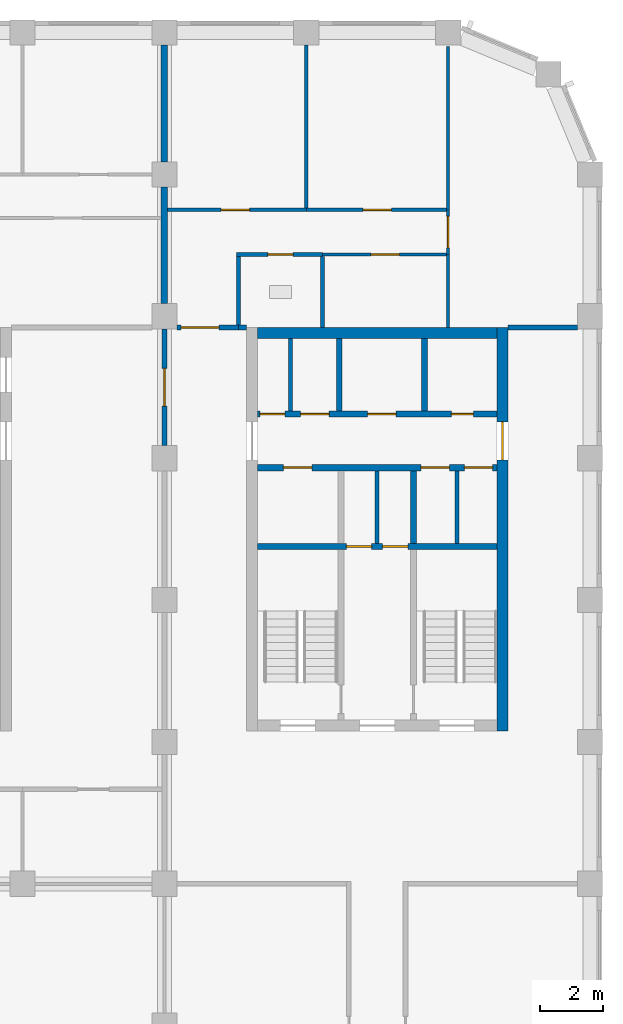
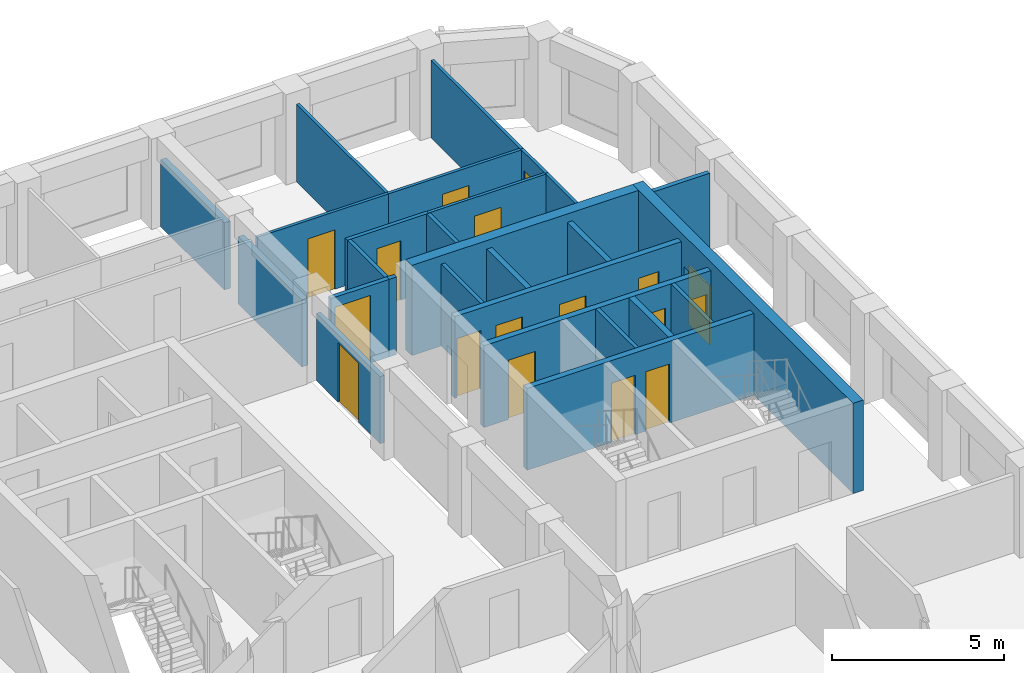
# One storey, part 6 of 9: 27 walls, 17 doors, 17 openings.
"""IFC4 building model written with IfcOpenShell, lengths in metres."""

from ifc_helpers import new_model, si_unit, direction, frame, frame_2d, origin, place, context, subcontext, project, spatial, rectangle, extrude, material, layer, layer_set, type_object, element, fill, save


model = new_model("IFC4")

# Units and contexts
model_context = context("Model", 3, precision=1e-05, world=origin(), true_north=direction((0.0, 1.0)))
body_context = subcontext(model_context, "Body", "Model", "MODEL_VIEW")
ifc_project = project(units=[si_unit("LENGTHUNIT", "METRE"), si_unit("AREAUNIT", "SQUARE_METRE"), si_unit("VOLUMEUNIT", "CUBIC_METRE"), si_unit("PLANEANGLEUNIT", "RADIAN"), si_unit("MASSUNIT", "GRAM", prefix="KILO")], contexts=[model_context])

# Site, building, storey
site_placement = place(None, origin())
site = spatial("IfcSite", under=ifc_project, at=site_placement, CompositionType="ELEMENT")
building_placement = place(site_placement, origin())
building = spatial("IfcBuilding", under=site, at=building_placement, Name="Girih Gate Residences", CompositionType="ELEMENT")
storey_placement = place(building_placement, frame((0.0, 0.0, 182.699951171875)))
storey = spatial("IfcBuildingStorey", under=building, at=storey_placement, Name="L50", CompositionType="ELEMENT", Elevation=182.699951171875)

# Wall
ifc_material_1 = material(Name="Gypsum board on steel studs", Category="steel")
ifc_layer_1 = layer(ifc_material_1, 0.14990234375)
ifc_layer_set_1 = layer_set([ifc_layer_1], Name="Compartment wall 150 mm")
wall_type_1 = type_object("IfcWallType", Name="Compartment wall 150 mm", PredefinedType="PARTITIONING", material=ifc_layer_set_1)
wall_1_placement = place(storey_placement, frame((20.35009765625, 40.14990234375, 0.0), z_axis=(0.0, 0.0, 1.0), x_axis=(1.0, 0.0, 0.0)))
element("IfcWall", 1, at=wall_1_placement, inside=storey, type_object=wall_type_1, Name="L50 partition", PredefinedType="PARTITIONING", context=body_context, shape_type="SweptSolid", body=[
    extrude(rectangle(XDim=0.25, YDim=0.14990234375, at=frame_2d((0.125, 0.0))), origin(), (0.0, 0.0, 1.0), 2.75),
])

# Wall, opening, door
wall_2_placement = place(storey_placement, frame((18.39990234375, 40.14990234375, 0.0), z_axis=(0.0, 0.0, 1.0), x_axis=(1.0, 0.0, 0.0)))
wall_2 = element("IfcWall", 2, at=wall_2_placement, inside=storey, type_object=wall_type_1, Name="L50 partition", PredefinedType="PARTITIONING", context=body_context, shape_type="SweptSolid", body=[
    extrude(rectangle(XDim=1.9501953125, YDim=0.14990234375, at=frame_2d((0.97509765625, 0.0))), origin(), (0.0, 0.0, 1.0), 2.75),
])
opening_1_placement = place(wall_2_placement, frame((0.1298828125, 0.0, 0.0)))
opening_1 = element("IfcOpeningElement", 3, at=opening_1_placement, cuts=wall_2, Name="Opening A50-020", PredefinedType="OPENING", context=body_context, shape_type="SweptSolid", body=[
    extrude(rectangle(XDim=1.199951171875, YDim=2.39990234375, at=frame_2d((0.60009765625, 1.199951171875))), frame((0.0, 0.0849609375, 0.0), z_axis=(0.0, -1.0, 0.0), x_axis=(1.0, 0.0, 0.0)), (0.0, 0.0, 1.0), 0.169921875),
])
ifc_material_2 = material(Name="Timber, fire-rated core", Category="wood")
door_type_1 = type_object("IfcDoorType", Name="Villa entrance door 1200x2400 FD30S", OperationType="NOTDEFINED", PredefinedType="DOOR", material=ifc_material_2)
door_1_placement = place(opening_1_placement, origin())
door_1 = element("IfcDoor", 4, at=door_1_placement, inside=storey, type_object=door_type_1, Name="Door A50-020", OperationType="SINGLE_SWING_LEFT", OverallHeight=2.39990234375, OverallWidth=1.199951171875, PredefinedType="DOOR", context=body_context, shape_type="SweptSolid", body=[
    extrude(rectangle(XDim=1.199951171875, YDim=2.39990234375, at=frame_2d((0.60009765625, 1.199951171875))), frame((0.0, 0.02490234375, 0.0), z_axis=(0.0, -1.0, 0.0), x_axis=(1.0, 0.0, 0.0)), (0.0, 0.0, 1.0), 0.050048828125),
])
fill(opening_1, door_1)

# Wall
wall_3_placement = place(storey_placement, frame((28.89990234375, 40.14990234375, 0.0), z_axis=(0.0, 0.0, 1.0), x_axis=(1.0, 0.0, 0.0)))
element("IfcWall", 5, at=wall_3_placement, inside=storey, type_object=wall_type_1, Name="L50 partition", PredefinedType="PARTITIONING", context=body_context, shape_type="SweptSolid", body=[
    extrude(rectangle(XDim=2.2001953125, YDim=0.14990234375, at=frame_2d((1.10009765625, 0.0))), origin(), (0.0, 0.0, 1.0), 2.75),
])

# Wall, opening, door
wall_4_placement = place(storey_placement, frame((18.0, 40.10009765625, 0.0), z_axis=(0.0, 0.0, 1.0), x_axis=(0.0, -1.0, 0.0)))
wall_4 = element("IfcWall", 6, at=wall_4_placement, inside=storey, type_object=wall_type_1, Name="L50 partition", PredefinedType="PARTITIONING", context=body_context, shape_type="SweptSolid", body=[
    extrude(rectangle(XDim=3.7001953125, YDim=0.14990234375, at=frame_2d((1.85009765625, 0.0))), origin(), (0.0, 0.0, 1.0), 2.380126953125),
])
opening_2_placement = place(wall_4_placement, frame((1.25, 0.0, 0.0)))
opening_2 = element("IfcOpeningElement", 7, at=opening_2_placement, cuts=wall_4, Name="Opening A50-022", PredefinedType="OPENING", context=body_context, shape_type="SweptSolid", body=[
    extrude(rectangle(XDim=1.199951171875, YDim=2.10009765625, at=frame_2d((0.60009765625, 1.050048828125))), frame((0.0, 0.0849609375, 0.0), z_axis=(0.0, -1.0, 0.0), x_axis=(1.0, 0.0, 0.0)), (0.0, 0.0, 1.0), 0.169921875),
])
door_type_2 = type_object("IfcDoorType", Name="Corridor fire door 1200x2100 FD30S", OperationType="NOTDEFINED", PredefinedType="DOOR", material=ifc_material_2)
door_2_placement = place(opening_2_placement, origin())
door_2 = element("IfcDoor", 8, at=door_2_placement, inside=storey, type_object=door_type_2, Name="Door A50-022", OperationType="SINGLE_SWING_LEFT", OverallHeight=2.10009765625, OverallWidth=1.199951171875, PredefinedType="DOOR", context=body_context, shape_type="SweptSolid", body=[
    extrude(rectangle(XDim=1.199951171875, YDim=2.10009765625, at=frame_2d((0.60009765625, 1.050048828125))), frame((0.0, 0.02490234375, 0.0), z_axis=(0.0, -1.0, 0.0), x_axis=(1.0, 0.0, 0.0)), (0.0, 0.0, 1.0), 0.050048828125),
])
fill(opening_2, door_2)

# Wall
ifc_layer_2 = layer(ifc_material_1, 0.10009765625)
ifc_layer_set_2 = layer_set([ifc_layer_2], Name="Partition 100 mm")
wall_type_2 = type_object("IfcWallType", Name="Partition 100 mm", PredefinedType="PARTITIONING", material=ifc_layer_set_2)
wall_5_placement = place(storey_placement, frame((22.5, 43.929931640625, 0.0), z_axis=(0.0, 0.0, 1.0), x_axis=(0.0, 1.0, 0.0)))
element("IfcWall", 9, at=wall_5_placement, inside=storey, type_object=wall_type_2, Name="L50 partition", PredefinedType="PARTITIONING", context=body_context, shape_type="SweptSolid", body=[
    extrude(rectangle(XDim=5.170166015625, YDim=0.10009765625, at=frame_2d((2.5849609375, 0.0))), origin(), (0.0, 0.0, 1.0), 2.75),
])

# Wall, opening, door
wall_6_placement = place(storey_placement, frame((18.10009765625, 43.8798828125, 0.0), z_axis=(0.0, 0.0, 1.0), x_axis=(1.0, 0.0, 0.0)))
wall_6 = element("IfcWall", 10, at=wall_6_placement, inside=storey, type_object=wall_type_2, Name="L50 partition", PredefinedType="PARTITIONING", context=body_context, shape_type="SweptSolid", body=[
    extrude(rectangle(XDim=4.39990234375, YDim=0.10009765625, at=frame_2d((2.199951171875, 0.0))), origin(), (0.0, 0.0, 1.0), 2.75),
])
opening_3_placement = place(wall_6_placement, frame((1.699951171875, 0.0, 0.0)))
opening_3 = element("IfcOpeningElement", 11, at=opening_3_placement, cuts=wall_6, Name="Opening A50-016", PredefinedType="OPENING", context=body_context, shape_type="SweptSolid", body=[
    extrude(rectangle(XDim=0.89990234375, YDim=2.10009765625, at=frame_2d((0.449951171875, 1.050048828125))), frame((0.0, 0.06005859375, 0.0), z_axis=(0.0, -1.0, 0.0), x_axis=(1.0, 0.0, 0.0)), (0.0, 0.0, 1.0), 0.1201171875),
])
ifc_material_3 = material(Name="Timber", Category="wood")
door_type_3 = type_object("IfcDoorType", Name="Bedroom door 900x2100", OperationType="NOTDEFINED", PredefinedType="DOOR", material=ifc_material_3)
door_3_placement = place(opening_3_placement, origin())
door_3 = element("IfcDoor", 12, at=door_3_placement, inside=storey, type_object=door_type_3, Name="Door A50-016", OperationType="SINGLE_SWING_LEFT", OverallHeight=2.10009765625, OverallWidth=0.89990234375, PredefinedType="DOOR", context=body_context, shape_type="SweptSolid", body=[
    extrude(rectangle(XDim=0.89990234375, YDim=2.10009765625, at=frame_2d((0.449951171875, 1.050048828125))), frame((0.0, 0.02490234375, 0.0), z_axis=(0.0, -1.0, 0.0), x_axis=(1.0, 0.0, 0.0)), (0.0, 0.0, 1.0), 0.050048828125),
])
fill(opening_3, door_3)

wall_7_placement = place(storey_placement, frame((22.5, 43.8798828125, 0.0), z_axis=(0.0, 0.0, 1.0), x_axis=(1.0, 0.0, 0.0)))
wall_7 = element("IfcWall", 13, at=wall_7_placement, inside=storey, type_object=wall_type_2, Name="L50 partition", PredefinedType="PARTITIONING", context=body_context, shape_type="SweptSolid", body=[
    extrude(rectangle(XDim=4.449951171875, YDim=0.10009765625, at=frame_2d((2.22509765625, 0.0))), origin(), (0.0, 0.0, 1.0), 2.75),
])
opening_4_placement = place(wall_7_placement, frame((1.800048828125, 0.0, 0.0)))
opening_4 = element("IfcOpeningElement", 14, at=opening_4_placement, cuts=wall_7, Name="Opening A50-017", PredefinedType="OPENING", context=body_context, shape_type="SweptSolid", body=[
    extrude(rectangle(XDim=0.89990234375, YDim=2.10009765625, at=frame_2d((0.449951171875, 1.050048828125))), frame((0.0, 0.06005859375, 0.0), z_axis=(0.0, -1.0, 0.0), x_axis=(1.0, 0.0, 0.0)), (0.0, 0.0, 1.0), 0.1201171875),
])
door_4_placement = place(opening_4_placement, origin())
door_4 = element("IfcDoor", 15, at=door_4_placement, inside=storey, type_object=door_type_3, Name="Door A50-017", OperationType="SINGLE_SWING_RIGHT", OverallHeight=2.10009765625, OverallWidth=0.89990234375, PredefinedType="DOOR", context=body_context, shape_type="SweptSolid", body=[
    extrude(rectangle(XDim=0.89990234375, YDim=2.10009765625, at=frame_2d((0.449951171875, 1.050048828125))), frame((0.0, 0.02490234375, 0.0), z_axis=(0.0, -1.0, 0.0), x_axis=(1.0, 0.0, 0.0)), (0.0, 0.0, 1.0), 0.050048828125),
])
fill(opening_4, door_4)

# Wall
wall_8_placement = place(storey_placement, frame((27.0, 43.8798828125, 0.0), z_axis=(0.0, 0.0, 1.0), x_axis=(0.0, 1.0, 0.0)))
element("IfcWall", 16, at=wall_8_placement, inside=storey, type_object=wall_type_2, Name="L50 partition", PredefinedType="PARTITIONING", context=body_context, shape_type="SweptSolid", body=[
    extrude(rectangle(XDim=5.187255859375, YDim=0.10009765625, at=frame_2d((2.59375, 0.0))), origin(), (0.0, 0.0, 1.0), 2.75),
])

# Wall, opening, door
wall_9_placement = place(storey_placement, frame((26.949951171875, 42.4599609375, 0.0), z_axis=(0.0, 0.0, 1.0), x_axis=(-1.0, 0.0, 0.0)))
wall_9 = element("IfcWall", 17, at=wall_9_placement, inside=storey, type_object=wall_type_2, Name="L50 partition", PredefinedType="PARTITIONING", context=body_context, shape_type="SweptSolid", body=[
    extrude(rectangle(XDim=3.939208984375, YDim=0.10009765625, at=frame_2d((1.9697265625, 0.0))), origin(), (0.0, 0.0, 1.0), 2.75),
])
opening_5_placement = place(wall_9_placement, frame((1.49462890625, 0.0, 0.0)))
opening_5 = element("IfcOpeningElement", 18, at=opening_5_placement, cuts=wall_9, Name="Opening A50-018", PredefinedType="OPENING", context=body_context, shape_type="SweptSolid", body=[
    extrude(rectangle(XDim=0.89990234375, YDim=2.10009765625, at=frame_2d((0.449951171875, 1.050048828125))), frame((0.0, 0.06005859375, 0.0), z_axis=(0.0, -1.0, 0.0), x_axis=(1.0, 0.0, 0.0)), (0.0, 0.0, 1.0), 0.1201171875),
])
door_type_4 = type_object("IfcDoorType", Name="Kitchen door 900x2100", OperationType="NOTDEFINED", PredefinedType="DOOR", material=ifc_material_3)
door_5_placement = place(opening_5_placement, origin())
door_5 = element("IfcDoor", 19, at=door_5_placement, inside=storey, type_object=door_type_4, Name="Door A50-018", OperationType="SINGLE_SWING_LEFT", OverallHeight=2.10009765625, OverallWidth=0.89990234375, PredefinedType="DOOR", context=body_context, shape_type="SweptSolid", body=[
    extrude(rectangle(XDim=0.89990234375, YDim=2.10009765625, at=frame_2d((0.449951171875, 1.050048828125))), frame((0.0, 0.02490234375, 0.0), z_axis=(0.0, -1.0, 0.0), x_axis=(1.0, 0.0, 0.0)), (0.0, 0.0, 1.0), 0.050048828125),
])
fill(opening_5, door_5)

wall_10_placement = place(storey_placement, frame((27.0, 43.8798828125, 0.0), z_axis=(0.0, 0.0, 1.0), x_axis=(0.0, -1.0, 0.0)))
wall_10 = element("IfcWall", 20, at=wall_10_placement, inside=storey, type_object=wall_type_2, Name="L50 partition", PredefinedType="PARTITIONING", context=body_context, shape_type="SweptSolid", body=[
    extrude(rectangle(XDim=1.419921875, YDim=0.10009765625, at=frame_2d((0.7099609375, 0.0))), origin(), (0.0, 0.0, 1.0), 2.75),
])
opening_6_placement = place(wall_10_placement, frame((0.2099609375, 0.0, 0.0)))
opening_6 = element("IfcOpeningElement", 21, at=opening_6_placement, cuts=wall_10, Name="Opening A50-019", PredefinedType="OPENING", context=body_context, shape_type="SweptSolid", body=[
    extrude(rectangle(XDim=1.0, YDim=2.10009765625, at=frame_2d((0.5, 1.050048828125))), frame((0.0, 0.06005859375, 0.0), z_axis=(0.0, -1.0, 0.0), x_axis=(1.0, 0.0, 0.0)), (0.0, 0.0, 1.0), 0.1201171875),
])
door_type_5 = type_object("IfcDoorType", Name="Living room door 1000x2100", OperationType="NOTDEFINED", PredefinedType="DOOR", material=ifc_material_3)
door_6_placement = place(opening_6_placement, origin())
door_6 = element("IfcDoor", 22, at=door_6_placement, inside=storey, type_object=door_type_5, Name="Door A50-019", OperationType="SINGLE_SWING_RIGHT", OverallHeight=2.10009765625, OverallWidth=1.0, PredefinedType="DOOR", context=body_context, shape_type="SweptSolid", body=[
    extrude(rectangle(XDim=1.0, YDim=2.10009765625, at=frame_2d((0.5, 1.050048828125))), frame((0.0, 0.02490234375, 0.0), z_axis=(0.0, -1.0, 0.0), x_axis=(1.0, 0.0, 0.0)), (0.0, 0.0, 1.0), 0.050048828125),
])
fill(opening_6, door_6)

# Walls
wall_11_placement = place(storey_placement, frame((27.0, 40.14990234375, 0.0), z_axis=(0.0, 0.0, 1.0), x_axis=(0.0, 1.0, 0.0)))
element("IfcWall", 23, at=wall_11_placement, inside=storey, type_object=wall_type_2, Name="L50 partition", PredefinedType="PARTITIONING", context=body_context, shape_type="SweptSolid", body=[
    extrude(rectangle(XDim=2.31005859375, YDim=0.10009765625, at=frame_2d((1.155029296875, 0.0))), origin(), (0.0, 0.0, 1.0), 2.75),
])
ifc_layer_3 = layer(ifc_material_1, 0.199951171875)
ifc_layer_set_3 = layer_set([ifc_layer_3], Name="Party wall 200 mm")
wall_type_3 = type_object("IfcWallType", Name="Party wall 200 mm", PredefinedType="PARTITIONING", material=ifc_layer_set_3)
for number, where, z_axis, x_axis, name in (
    (24, (18.0, 45.39990234375, 0.0), (0.0, 0.0, 1.0), (0.0, 1.0, 0.0), "L50 partition"),
    (25, (18.0, 40.89990234375, 0.0), (0.0, 0.0, 1.0), (0.0, 1.0, 0.0), "L50 partition"),
):
    element("IfcWall", number, at=place(storey_placement, frame(where, z_axis=z_axis, x_axis=x_axis)), inside=storey, type_object=wall_type_3, Name=name, PredefinedType="PARTITIONING", context=body_context, shape_type="SweptSolid", body=[
        extrude(rectangle(XDim=3.7001953125, YDim=0.199951171875, at=frame_2d((1.85009765625, 0.0))), origin(), (0.0, 0.0, 1.0), 2.380126953125),
    ])
ifc_material_4 = material(Name="Concrete C40/50", Category="concrete")
ifc_layer_4 = layer(ifc_material_4, 0.175048828125)
ifc_layer_set_4 = layer_set([ifc_layer_4], Name="Riser shaft wall 175")
wall_type_4 = type_object("IfcWallType", Name="Riser shaft wall 175", PredefinedType="SOLIDWALL", material=ifc_layer_set_4)
for number, where, z_axis, x_axis, name in (
    (26, (23.550048828125, 37.5, 0.0), (0.0, 0.0, 1.0), (0.0, 1.0, 0.0), "L50 C core wall V1c"),
    (27, (26.25, 37.5, 0.0), (0.0, 0.0, 1.0), (0.0, 1.0, 0.0), "L50 C core wall V2c"),
):
    element("IfcWall", number, at=place(storey_placement, frame(where, z_axis=z_axis, x_axis=x_axis)), inside=storey, type_object=wall_type_4, Name=name, PredefinedType="SOLIDWALL", context=body_context, shape_type="SweptSolid", body=[
        extrude(rectangle(XDim=2.300048828125, YDim=0.175048828125, at=frame_2d((1.14990234375, 0.0))), origin(), (0.0, 0.0, 1.0), 2.900146484375),
    ])

# Wall, openings, doors
ifc_layer_5 = layer(ifc_material_4, 0.199951171875)
ifc_layer_set_5 = layer_set([ifc_layer_5], Name="Shaft wall 200")
wall_type_5 = type_object("IfcWallType", Name="Shaft wall 200", PredefinedType="SOLIDWALL", material=ifc_layer_set_5)
wall_12_placement = place(storey_placement, frame((20.949951171875, 33.199951171875, 0.0), z_axis=(0.0, 0.0, 1.0), x_axis=(1.0, 0.0, 0.0)))
wall_12 = element("IfcWall", 28, at=wall_12_placement, inside=storey, type_object=wall_type_5, Name="L50 C core wall H1", PredefinedType="SOLIDWALL", context=body_context, shape_type="SweptSolid", body=[
    extrude(rectangle(XDim=7.60009765625, YDim=0.199951171875, at=frame_2d((3.800048828125, 0.0))), origin(), (0.0, 0.0, 1.0), 2.900146484375),
])
opening_7_placement = place(wall_12_placement, frame((2.824951171875, 0.0, 0.0)))
opening_7 = element("IfcOpeningElement", 29, at=opening_7_placement, cuts=wall_12, Name="Opening D-L50-C-010", PredefinedType="OPENING", context=body_context, shape_type="SweptSolid", body=[
    extrude(rectangle(XDim=0.800048828125, YDim=2.10009765625, at=frame_2d((0.39990234375, 1.050048828125))), frame((0.0, 0.10986328125, 0.0), z_axis=(0.0, -1.0, 0.0), x_axis=(1.0, 0.0, 0.0)), (0.0, 0.0, 1.0), 0.219970703125),
])
opening_8_placement = place(wall_12_placement, frame((3.97509765625, 0.0, 0.0)))
opening_8 = element("IfcOpeningElement", 30, at=opening_8_placement, cuts=wall_12, Name="Opening D-L50-C-011", PredefinedType="OPENING", context=body_context, shape_type="SweptSolid", body=[
    extrude(rectangle(XDim=0.800048828125, YDim=2.10009765625, at=frame_2d((0.39990234375, 1.050048828125))), frame((0.0, 0.10986328125, 0.0), z_axis=(0.0, -1.0, 0.0), x_axis=(1.0, 0.0, 0.0)), (0.0, 0.0, 1.0), 0.219970703125),
])
ifc_material_5 = material(Name="Painted steel, fire-resisting", Category="steel")
door_type_6 = type_object("IfcDoorType", Name="Fire door 800x2100", OperationType="SINGLE_SWING_LEFT", PredefinedType="DOOR", material=ifc_material_5)
door_7_placement = place(opening_7_placement, origin())
door_7 = element("IfcDoor", 31, at=door_7_placement, inside=storey, type_object=door_type_6, Name="L50 C housekeeping store door", OperationType="SINGLE_SWING_LEFT", OverallHeight=2.10009765625, OverallWidth=0.800048828125, PredefinedType="DOOR", context=body_context, shape_type="SweptSolid", body=[
    extrude(rectangle(XDim=0.800048828125, YDim=2.10009765625, at=frame_2d((0.39990234375, 1.050048828125))), frame((0.0, 0.02490234375, 0.0), z_axis=(0.0, -1.0, 0.0), x_axis=(1.0, 0.0, 0.0)), (0.0, 0.0, 1.0), 0.050048828125),
])
fill(opening_7, door_7)
door_8_placement = place(opening_8_placement, origin())
door_8 = element("IfcDoor", 32, at=door_8_placement, inside=storey, type_object=door_type_6, Name="L50 C refuse store door", OperationType="SINGLE_SWING_LEFT", OverallHeight=2.10009765625, OverallWidth=0.800048828125, PredefinedType="DOOR", context=body_context, shape_type="SweptSolid", body=[
    extrude(rectangle(XDim=0.800048828125, YDim=2.10009765625, at=frame_2d((0.39990234375, 1.050048828125))), frame((0.0, 0.02490234375, 0.0), z_axis=(0.0, -1.0, 0.0), x_axis=(1.0, 0.0, 0.0)), (0.0, 0.0, 1.0), 0.050048828125),
])
fill(opening_8, door_8)

wall_13_placement = place(storey_placement, frame((20.949951171875, 35.699951171875, 0.0), z_axis=(0.0, 0.0, 1.0), x_axis=(1.0, 0.0, 0.0)))
wall_13 = element("IfcWall", 33, at=wall_13_placement, inside=storey, type_object=wall_type_5, Name="L50 C core wall H2", PredefinedType="SOLIDWALL", context=body_context, shape_type="SweptSolid", body=[
    extrude(rectangle(XDim=7.60009765625, YDim=0.199951171875, at=frame_2d((3.800048828125, 0.0))), origin(), (0.0, 0.0, 1.0), 2.900146484375),
])
opening_9_placement = place(wall_13_placement, frame((0.824951171875, 0.0, 0.0)))
opening_9 = element("IfcOpeningElement", 34, at=opening_9_placement, cuts=wall_13, Name="Opening D-L50-C-004", PredefinedType="OPENING", context=body_context, shape_type="SweptSolid", body=[
    extrude(rectangle(XDim=0.89990234375, YDim=2.10009765625, at=frame_2d((0.449951171875, 1.050048828125))), frame((0.0, 0.10986328125, 0.0), z_axis=(0.0, -1.0, 0.0), x_axis=(1.0, 0.0, 0.0)), (0.0, 0.0, 1.0), 0.219970703125),
])
opening_10_placement = place(wall_13_placement, frame((5.1875, 0.0, 0.0)))
opening_10 = element("IfcOpeningElement", 35, at=opening_10_placement, cuts=wall_13, Name="Opening D-L50-C-005", PredefinedType="OPENING", context=body_context, shape_type="SweptSolid", body=[
    extrude(rectangle(XDim=0.89990234375, YDim=2.10009765625, at=frame_2d((0.449951171875, 1.050048828125))), frame((0.0, 0.10986328125, 0.0), z_axis=(0.0, -1.0, 0.0), x_axis=(1.0, 0.0, 0.0)), (0.0, 0.0, 1.0), 0.219970703125),
])
opening_11_placement = place(wall_13_placement, frame((6.5625, 0.0, 0.0)))
opening_11 = element("IfcOpeningElement", 36, at=opening_11_placement, cuts=wall_13, Name="Opening D-L50-C-006", PredefinedType="OPENING", context=body_context, shape_type="SweptSolid", body=[
    extrude(rectangle(XDim=0.89990234375, YDim=2.10009765625, at=frame_2d((0.449951171875, 1.050048828125))), frame((0.0, 0.10986328125, 0.0), z_axis=(0.0, -1.0, 0.0), x_axis=(1.0, 0.0, 0.0)), (0.0, 0.0, 1.0), 0.219970703125),
])
door_type_7 = type_object("IfcDoorType", Name="Fire door 900x2100", OperationType="SINGLE_SWING_LEFT", PredefinedType="DOOR", material=ifc_material_5)
door_9_placement = place(opening_9_placement, origin())
door_9 = element("IfcDoor", 37, at=door_9_placement, inside=storey, type_object=door_type_7, Name="L50 C store door", OperationType="SINGLE_SWING_LEFT", OverallHeight=2.10009765625, OverallWidth=0.89990234375, PredefinedType="DOOR", context=body_context, shape_type="SweptSolid", body=[
    extrude(rectangle(XDim=0.89990234375, YDim=2.10009765625, at=frame_2d((0.449951171875, 1.050048828125))), frame((0.0, 0.02490234375, 0.0), z_axis=(0.0, -1.0, 0.0), x_axis=(1.0, 0.0, 0.0)), (0.0, 0.0, 1.0), 0.050048828125),
])
fill(opening_9, door_9)
door_10_placement = place(opening_10_placement, origin())
door_10 = element("IfcDoor", 38, at=door_10_placement, inside=storey, type_object=door_type_7, Name="L50 C refuse store door", OperationType="SINGLE_SWING_LEFT", OverallHeight=2.10009765625, OverallWidth=0.89990234375, PredefinedType="DOOR", context=body_context, shape_type="SweptSolid", body=[
    extrude(rectangle(XDim=0.89990234375, YDim=2.10009765625, at=frame_2d((0.449951171875, 1.050048828125))), frame((0.0, 0.02490234375, 0.0), z_axis=(0.0, -1.0, 0.0), x_axis=(1.0, 0.0, 0.0)), (0.0, 0.0, 1.0), 0.050048828125),
])
fill(opening_10, door_10)
door_11_placement = place(opening_11_placement, origin())
door_11 = element("IfcDoor", 39, at=door_11_placement, inside=storey, type_object=door_type_7, Name="L50 C cleaners store door", OperationType="SINGLE_SWING_LEFT", OverallHeight=2.10009765625, OverallWidth=0.89990234375, PredefinedType="DOOR", context=body_context, shape_type="SweptSolid", body=[
    extrude(rectangle(XDim=0.89990234375, YDim=2.10009765625, at=frame_2d((0.449951171875, 1.050048828125))), frame((0.0, 0.02490234375, 0.0), z_axis=(0.0, -1.0, 0.0), x_axis=(1.0, 0.0, 0.0)), (0.0, 0.0, 1.0), 0.050048828125),
])
fill(opening_11, door_11)

wall_14_placement = place(storey_placement, frame((20.949951171875, 37.39990234375, 0.0), z_axis=(0.0, 0.0, 1.0), x_axis=(1.0, 0.0, 0.0)))
wall_14 = element("IfcWall", 40, at=wall_14_placement, inside=storey, type_object=wall_type_5, Name="L50 C core wall H3", PredefinedType="SOLIDWALL", context=body_context, shape_type="SweptSolid", body=[
    extrude(rectangle(XDim=7.60009765625, YDim=0.199951171875, at=frame_2d((3.800048828125, 0.0))), origin(), (0.0, 0.0, 1.0), 2.900146484375),
])
opening_12_placement = place(wall_14_placement, frame((6.14990234375, 0.0, 0.0)))
opening_12 = element("IfcOpeningElement", 41, at=opening_12_placement, cuts=wall_14, Name="Opening D-L50-C-003", PredefinedType="OPENING", context=body_context, shape_type="SweptSolid", body=[
    extrude(rectangle(XDim=0.699951171875, YDim=2.10009765625, at=frame_2d((0.35009765625, 1.050048828125))), frame((0.0, 0.10986328125, 0.0), z_axis=(0.0, -1.0, 0.0), x_axis=(1.0, 0.0, 0.0)), (0.0, 0.0, 1.0), 0.219970703125),
])
opening_13_placement = place(wall_14_placement, frame((0.074951171875, 0.0, 0.0)))
opening_13 = element("IfcOpeningElement", 42, at=opening_13_placement, cuts=wall_14, Name="Opening D-L50-C-007", PredefinedType="OPENING", context=body_context, shape_type="SweptSolid", body=[
    extrude(rectangle(XDim=0.800048828125, YDim=2.10009765625, at=frame_2d((0.39990234375, 1.050048828125))), frame((0.0, 0.10986328125, 0.0), z_axis=(0.0, -1.0, 0.0), x_axis=(1.0, 0.0, 0.0)), (0.0, 0.0, 1.0), 0.219970703125),
])
opening_14_placement = place(wall_14_placement, frame((1.375, 0.0, 0.0)))
opening_14 = element("IfcOpeningElement", 43, at=opening_14_placement, cuts=wall_14, Name="Opening D-L50-C-008", PredefinedType="OPENING", context=body_context, shape_type="SweptSolid", body=[
    extrude(rectangle(XDim=0.89990234375, YDim=2.10009765625, at=frame_2d((0.449951171875, 1.050048828125))), frame((0.0, 0.10986328125, 0.0), z_axis=(0.0, -1.0, 0.0), x_axis=(1.0, 0.0, 0.0)), (0.0, 0.0, 1.0), 0.219970703125),
])
opening_15_placement = place(wall_14_placement, frame((3.5, 0.0, 0.0)))
opening_15 = element("IfcOpeningElement", 44, at=opening_15_placement, cuts=wall_14, Name="Opening D-L50-C-009", PredefinedType="OPENING", context=body_context, shape_type="SweptSolid", body=[
    extrude(rectangle(XDim=0.89990234375, YDim=2.10009765625, at=frame_2d((0.449951171875, 1.050048828125))), frame((0.0, 0.10986328125, 0.0), z_axis=(0.0, -1.0, 0.0), x_axis=(1.0, 0.0, 0.0)), (0.0, 0.0, 1.0), 0.219970703125),
])
door_12_placement = place(opening_13_placement, origin())
door_12 = element("IfcDoor", 45, at=door_12_placement, inside=storey, type_object=door_type_6, Name="L50 C maintenance store door", OperationType="SINGLE_SWING_LEFT", OverallHeight=2.10009765625, OverallWidth=0.800048828125, PredefinedType="DOOR", context=body_context, shape_type="SweptSolid", body=[
    extrude(rectangle(XDim=0.800048828125, YDim=2.10009765625, at=frame_2d((0.39990234375, 1.050048828125))), frame((0.0, 0.02490234375, 0.0), z_axis=(0.0, -1.0, 0.0), x_axis=(1.0, 0.0, 0.0)), (0.0, 0.0, 1.0), 0.050048828125),
])
fill(opening_13, door_12)
door_13_placement = place(opening_14_placement, origin())
door_13 = element("IfcDoor", 46, at=door_13_placement, inside=storey, type_object=door_type_7, Name="L50 C electrical room door", OperationType="SINGLE_SWING_LEFT", OverallHeight=2.10009765625, OverallWidth=0.89990234375, PredefinedType="DOOR", context=body_context, shape_type="SweptSolid", body=[
    extrude(rectangle(XDim=0.89990234375, YDim=2.10009765625, at=frame_2d((0.449951171875, 1.050048828125))), frame((0.0, 0.02490234375, 0.0), z_axis=(0.0, -1.0, 0.0), x_axis=(1.0, 0.0, 0.0)), (0.0, 0.0, 1.0), 0.050048828125),
])
fill(opening_14, door_13)
door_14_placement = place(opening_15_placement, origin())
door_14 = element("IfcDoor", 47, at=door_14_placement, inside=storey, type_object=door_type_7, Name="L50 C linen store door", OperationType="SINGLE_SWING_LEFT", OverallHeight=2.10009765625, OverallWidth=0.89990234375, PredefinedType="DOOR", context=body_context, shape_type="SweptSolid", body=[
    extrude(rectangle(XDim=0.89990234375, YDim=2.10009765625, at=frame_2d((0.449951171875, 1.050048828125))), frame((0.0, 0.02490234375, 0.0), z_axis=(0.0, -1.0, 0.0), x_axis=(1.0, 0.0, 0.0)), (0.0, 0.0, 1.0), 0.050048828125),
])
fill(opening_15, door_14)
door_type_8 = type_object("IfcDoorType", Name="Riser access door 700x2100", OperationType="SINGLE_SWING_LEFT", PredefinedType="DOOR", material=ifc_material_5)
door_15_placement = place(opening_12_placement, origin())
door_15 = element("IfcDoor", 48, at=door_15_placement, inside=storey, type_object=door_type_8, Name="L50 C riser room door", OperationType="SINGLE_SWING_LEFT", OverallHeight=2.10009765625, OverallWidth=0.699951171875, PredefinedType="DOOR", context=body_context, shape_type="SweptSolid", body=[
    extrude(rectangle(XDim=0.699951171875, YDim=2.10009765625, at=frame_2d((0.35009765625, 1.050048828125))), frame((0.0, 0.02490234375, 0.0), z_axis=(0.0, -1.0, 0.0), x_axis=(1.0, 0.0, 0.0)), (0.0, 0.0, 1.0), 0.050048828125),
])
fill(opening_12, door_15)

# Walls
wall_15_placement = place(storey_placement, frame((25.89990234375, 33.300048828125, 0.0), z_axis=(0.0, 0.0, 1.0), x_axis=(0.0, 1.0, 0.0)))
element("IfcWall", 49, at=wall_15_placement, inside=storey, type_object=wall_type_5, Name="L50 C core wall V2b", PredefinedType="SOLIDWALL", context=body_context, shape_type="SweptSolid", body=[
    extrude(rectangle(XDim=2.300048828125, YDim=0.199951171875, at=frame_2d((1.14990234375, 0.0))), origin(), (0.0, 0.0, 1.0), 2.900146484375),
])
ifc_layer_6 = layer(ifc_material_4, 0.35009765625)
ifc_layer_set_6 = layer_set([ifc_layer_6], Name="Stair core wall RC 350 Concrete C40/50")
wall_type_6 = type_object("IfcWallType", Name="Stair core wall RC 350 Concrete C40/50", PredefinedType="SOLIDWALL", material=ifc_layer_set_6)
wall_16_placement = place(storey_placement, frame((20.949951171875, 39.97509765625, 0.0), z_axis=(0.0, 0.0, 1.0), x_axis=(1.0, 0.0, 0.0)))
element("IfcWall", 50, at=wall_16_placement, inside=storey, type_object=wall_type_6, Name="Stair core wall C-N L50", PredefinedType="SOLIDWALL", context=body_context, shape_type="SweptSolid", body=[
    extrude(rectangle(XDim=7.60009765625, YDim=0.35009765625, at=frame_2d((3.800048828125, 0.0))), origin(), (0.0, 0.0, 1.0), 3.199951171875),
])

# Wall, opening, door
wall_17_placement = place(storey_placement, frame((28.72509765625, 27.35009765625, 0.0), z_axis=(0.0, 0.0, 1.0), x_axis=(0.0, 1.0, 0.0)))
wall_17 = element("IfcWall", 51, at=wall_17_placement, inside=storey, type_object=wall_type_6, Name="Stair core wall C-E L50", PredefinedType="SOLIDWALL", context=body_context, shape_type="SweptSolid", body=[
    extrude(rectangle(XDim=12.7998046875, YDim=0.35009765625, at=frame_2d((6.39990234375, 0.0))), origin(), (0.0, 0.0, 1.0), 3.199951171875),
])
opening_16_placement = place(wall_17_placement, frame((8.60009765625, 0.0, 0.0)))
opening_16 = element("IfcOpeningElement", 52, at=opening_16_placement, cuts=wall_17, Name="Opening D-L50-C-016", PredefinedType="OPENING", context=body_context, shape_type="SweptSolid", body=[
    extrude(rectangle(XDim=1.199951171875, YDim=2.10009765625, at=frame_2d((0.60009765625, 1.050048828125))), frame((0.0, 0.18505859375, 0.0), z_axis=(0.0, -1.0, 0.0), x_axis=(1.0, 0.0, 0.0)), (0.0, 0.0, 1.0), 0.3701171875),
])
door_type_9 = type_object("IfcDoorType", Name="Fire door 1200x2100", OperationType="SINGLE_SWING_LEFT", PredefinedType="DOOR", material=ifc_material_5)
door_16_placement = place(opening_16_placement, origin())
door_16 = element("IfcDoor", 53, at=door_16_placement, inside=storey, type_object=door_type_9, Name="L50 C core door ll-e", OperationType="SINGLE_SWING_LEFT", OverallHeight=2.10009765625, OverallWidth=1.199951171875, PredefinedType="DOOR", context=body_context, shape_type="SweptSolid", body=[
    extrude(rectangle(XDim=1.199951171875, YDim=2.10009765625, at=frame_2d((0.60009765625, 1.050048828125))), frame((0.0, 0.02490234375, 0.0), z_axis=(0.0, -1.0, 0.0), x_axis=(1.0, 0.0, 0.0)), (0.0, 0.0, 1.0), 0.050048828125),
])
fill(opening_16, door_16)

# Walls
ifc_material_6 = material(Name="Calcium silicate blockwork", Category="masonry")
ifc_layer_7 = layer(ifc_material_6, 0.125)
ifc_layer_set_7 = layer_set([ifc_layer_7], Name="Store partition 125")
wall_type_7 = type_object("IfcWallType", Name="Store partition 125", PredefinedType="PARTITIONING", material=ifc_layer_set_7)
for number, where, z_axis, x_axis, name in (
    (54, (27.27490234375, 33.300048828125, 0.0), (0.0, 0.0, 1.0), (0.0, 1.0, 0.0), "L50 C core wall SHR2"),
    (55, (22.0, 37.5, 0.0), (0.0, 0.0, 1.0), (0.0, 1.0, 0.0), "L50 C core wall SLR1"),
    (56, (24.75, 33.300048828125, 0.0), (0.0, 0.0, 1.0), (0.0, 1.0, 0.0), "L50 C core wall SFFS"),
):
    element("IfcWall", number, at=place(storey_placement, frame(where, z_axis=z_axis, x_axis=x_axis)), inside=storey, type_object=wall_type_7, Name=name, PredefinedType="PARTITIONING", context=body_context, shape_type="SweptSolid", body=[
        extrude(rectangle(XDim=2.300048828125, YDim=0.125, at=frame_2d((1.14990234375, 0.0))), origin(), (0.0, 0.0, 1.0), 2.900146484375),
    ])
ifc_layer_8 = layer(ifc_material_1, 0.125)
ifc_layer_set_8 = layer_set([ifc_layer_8], Name="Wet room wall 125 mm")
wall_type_8 = type_object("IfcWallType", Name="Wet room wall 125 mm", PredefinedType="PARTITIONING", material=ifc_layer_set_8)
wall_18_placement = place(storey_placement, frame((20.35009765625, 40.22509765625, 0.0), z_axis=(0.0, 0.0, 1.0), x_axis=(0.0, 1.0, 0.0)))
element("IfcWall", 57, at=wall_18_placement, inside=storey, type_object=wall_type_8, Name="L50 partition", PredefinedType="PARTITIONING", context=body_context, shape_type="SweptSolid", body=[
    extrude(rectangle(XDim=2.17236328125, YDim=0.125, at=frame_2d((1.086181640625, 0.0))), origin(), (0.0, 0.0, 1.0), 2.75),
])

# Wall, opening, door
wall_19_placement = place(storey_placement, frame((23.0107421875, 42.4599609375, 0.0), z_axis=(0.0, 0.0, 1.0), x_axis=(-1.0, 0.0, 0.0)))
wall_19 = element("IfcWall", 58, at=wall_19_placement, inside=storey, type_object=wall_type_8, Name="L50 partition", PredefinedType="PARTITIONING", context=body_context, shape_type="SweptSolid", body=[
    extrude(rectangle(XDim=2.72314453125, YDim=0.125, at=frame_2d((1.361572265625, 0.0))), origin(), (0.0, 0.0, 1.0), 2.75),
])
opening_17_placement = place(wall_19_placement, frame((0.930419921875, 0.0, 0.0)))
opening_17 = element("IfcOpeningElement", 59, at=opening_17_placement, cuts=wall_19, Name="Opening A50-015", PredefinedType="OPENING", context=body_context, shape_type="SweptSolid", body=[
    extrude(rectangle(XDim=0.800048828125, YDim=2.10009765625, at=frame_2d((0.39990234375, 1.050048828125))), frame((0.0, 0.072509765625, 0.0), z_axis=(0.0, -1.0, 0.0), x_axis=(1.0, 0.0, 0.0)), (0.0, 0.0, 1.0), 0.14501953125),
])
door_type_10 = type_object("IfcDoorType", Name="Bathroom door 800x2100", OperationType="NOTDEFINED", PredefinedType="DOOR", material=ifc_material_3)
door_17_placement = place(opening_17_placement, origin())
door_17 = element("IfcDoor", 60, at=door_17_placement, inside=storey, type_object=door_type_10, Name="Door A50-015", OperationType="SINGLE_SWING_LEFT", OverallHeight=2.10009765625, OverallWidth=0.800048828125, PredefinedType="DOOR", context=body_context, shape_type="SweptSolid", body=[
    extrude(rectangle(XDim=0.800048828125, YDim=2.10009765625, at=frame_2d((0.39990234375, 1.050048828125))), frame((0.0, 0.02490234375, 0.0), z_axis=(0.0, -1.0, 0.0), x_axis=(1.0, 0.0, 0.0)), (0.0, 0.0, 1.0), 0.050048828125),
])
fill(opening_17, door_17)

# Wall
wall_20_placement = place(storey_placement, frame((23.010986328125, 40.14990234375, 0.0), z_axis=(0.0, 0.0, 1.0), x_axis=(0.0, 1.0, 0.0)))
element("IfcWall", 61, at=wall_20_placement, inside=storey, type_object=wall_type_8, Name="L50 partition", PredefinedType="PARTITIONING", context=body_context, shape_type="SweptSolid", body=[
    extrude(rectangle(XDim=2.24755859375, YDim=0.125, at=frame_2d((1.123779296875, 0.0))), origin(), (0.0, 0.0, 1.0), 2.75),
])

save(model, "model.ifc")
